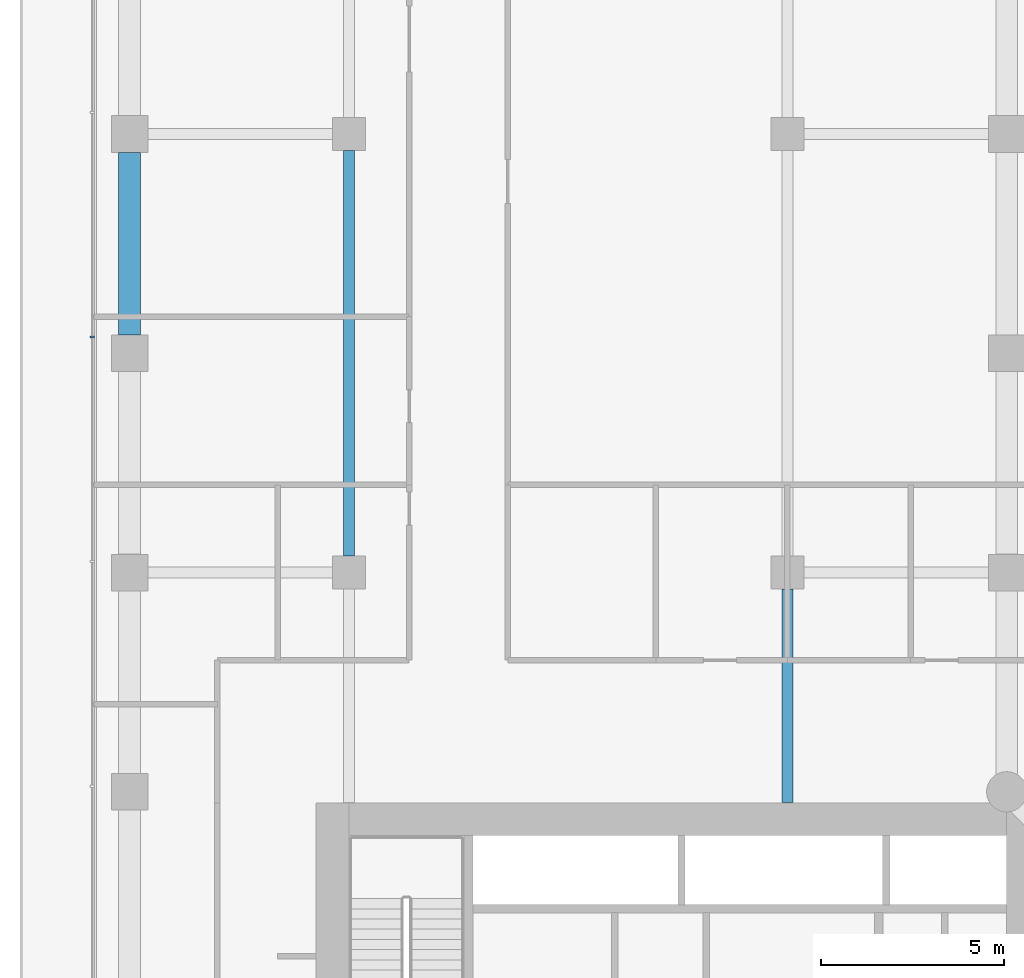
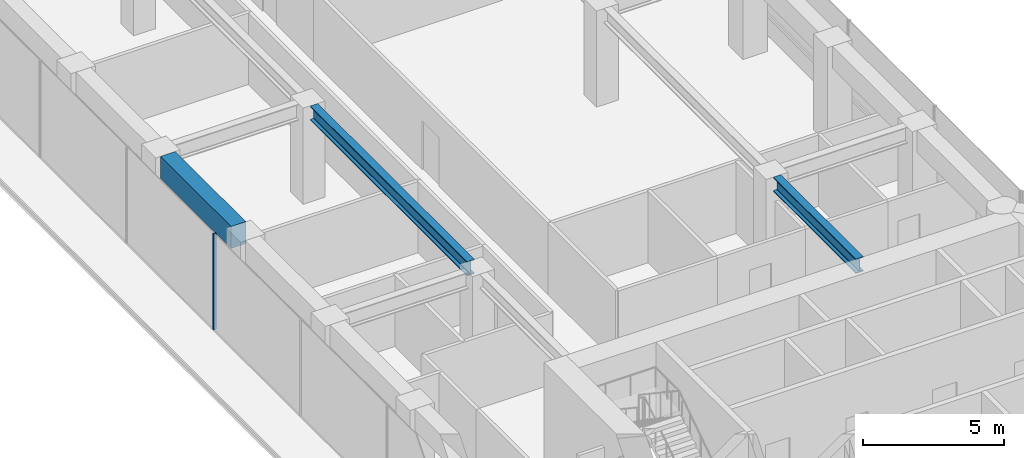
# One storey, part 13 of 24: 3 beams, 1 member, 1 element without a shape of its own.
"""IFC4 building model written with IfcOpenShell, lengths in metres."""

from ifc_helpers import new_model, si_unit, direction, frame, origin, origin_2d, place, context, subcontext, project, spatial, rectangle, i_section, extrude, material, layer, layer_set, material_profile, profile_set, type_object, element, aggregate, save


model = new_model("IFC4")

# Units and contexts
model_context = context("Model", 3, precision=1e-05, world=origin(), true_north=direction((0.0, 1.0)))
body_context = subcontext(model_context, "Body", "Model", "MODEL_VIEW")
ifc_project = project(units=[si_unit("LENGTHUNIT", "METRE"), si_unit("AREAUNIT", "SQUARE_METRE"), si_unit("VOLUMEUNIT", "CUBIC_METRE"), si_unit("PLANEANGLEUNIT", "RADIAN"), si_unit("MASSUNIT", "GRAM", prefix="KILO")], contexts=[model_context])

# Site, building, storey
site_placement = place(None, origin())
site = spatial("IfcSite", under=ifc_project, at=site_placement, CompositionType="ELEMENT")
building_placement = place(site_placement, origin())
building = spatial("IfcBuilding", under=site, at=building_placement, Name="Welwitschia Terrace Campus", CompositionType="ELEMENT")
storey_placement = place(building_placement, frame((0.0, 0.0, 15.5)))
storey = spatial("IfcBuildingStorey", under=building, at=storey_placement, Name="L03", CompositionType="ELEMENT", Elevation=15.5)

# Beams
ifc_material_1 = material(Name="Steel S355", Category="steel")
ifc_material_profile_1 = material_profile(ifc_material_1, i_section(OverallWidth=0.304931640625, OverallDepth=0.6201171875, WebThickness=0.02099609375, FlangeThickness=0.0400390625, FilletRadius=0.027099609375, at=origin_2d()))
ifc_profile_set_1 = profile_set([ifc_material_profile_1], Name="Steel S355")
beam_type_1 = type_object("IfcBeamType", Name="Interior girder HE 600 M", PredefinedType="BEAM", material=ifc_profile_set_1)
beam_1_placement = place(storey_placement, frame((6.0, 32.450439453125, 3.840087890625), z_axis=(0.0, 1.0, 0.0), x_axis=(-1.0, 0.0, 0.0)))
element("IfcBeam", 1, at=beam_1_placement, inside=storey, type_object=beam_type_1, Name="Girder GB1", PredefinedType="BEAM", context=body_context, shape_type="SweptSolid", body=[
    extrude(i_section(OverallWidth=0.304931640625, OverallDepth=0.6201171875, WebThickness=0.02099609375, FlangeThickness=0.0400390625, FilletRadius=0.027099609375, at=origin_2d()), origin(), (0.0, 0.0, 1.0), 11.09912109375),
])
beam_2_placement = place(storey_placement, frame((18.0, 25.700927734375, 3.840087890625), z_axis=(0.0, 1.0, 0.0), x_axis=(-1.0, 0.0, 0.0)))
element("IfcBeam", 2, at=beam_2_placement, inside=storey, type_object=beam_type_1, Name="Girder GB1", PredefinedType="BEAM", context=body_context, shape_type="SweptSolid", body=[
    extrude(i_section(OverallWidth=0.304931640625, OverallDepth=0.6201171875, WebThickness=0.02099609375, FlangeThickness=0.0400390625, FilletRadius=0.027099609375, at=origin_2d()), origin(), (0.0, 0.0, 1.0), 5.8486328125),
])

# Curtain wall, member
ifc_material_2 = material(Name="Bronze anodised aluminium", Category="aluminium")
ifc_layer = layer(ifc_material_2, 0.1201171875)
ifc_layer_set = layer_set([ifc_layer], Name="Bronze anodised aluminium")
curtain_wall_type = type_object("IfcCurtainWallType", Name="Curtain wall CW2 tower 6000", PredefinedType="NOTDEFINED", material=ifc_layer_set)
curtain_wall_placement = place(storey_placement, origin())
curtain_wall = element("IfcCurtainWall", 3, at=curtain_wall_placement, inside=storey, type_object=curtain_wall_type, Name="CW L03.9.0", PredefinedType="NOTDEFINED")
ifc_material_3 = material(Name="Bronze anodised aluminium", Category="aluminium")
ifc_material_profile_2 = material_profile(ifc_material_3, rectangle(XDim=0.1201171875, YDim=0.06005859375, at=origin_2d()))
ifc_profile_set_2 = profile_set([ifc_material_profile_2], Name="Bronze anodised aluminium")
member_type = type_object("IfcMemberType", Name="Mullion 60x120", PredefinedType="MULLION", material=ifc_profile_set_2)
member_placement = place(storey_placement, frame((-1.02001953125, 38.443115234375, 0.0), z_axis=(0.0, 0.0, 1.0), x_axis=(1.0, 0.0, 0.0)))
member = element("IfcMember", 4, at=member_placement, type_object=member_type, Name="Mullion L03.9.0.4", PredefinedType="MULLION", context=body_context, shape_type="SweptSolid", body=[
    extrude(rectangle(XDim=0.1201171875, YDim=0.06005859375, at=origin_2d()), origin(), (0.0, 0.0, 1.0), 4.14990234375),
])
aggregate(curtain_wall, [member])

# Beam
ifc_material_4 = material(Name="Concrete C60/75", Category="concrete")
ifc_material_profile_3 = material_profile(ifc_material_4, rectangle(XDim=0.60009765625, YDim=0.949951171875, at=origin_2d()))
ifc_profile_set_3 = profile_set([ifc_material_profile_3], Name="Concrete C60/75")
beam_type_2 = type_object("IfcBeamType", Name="Ring spandrel 600x950", PredefinedType="SPANDREL", material=ifc_profile_set_3)
beam_3_placement = place(storey_placement, frame((0.0, 43.49951171875, 3.675048828125), z_axis=(0.0, -1.0, 0.0), x_axis=(1.0, 0.0, 0.0)))
element("IfcBeam", 5, at=beam_3_placement, inside=storey, type_object=beam_type_2, Name="Spandrel SP1", PredefinedType="SPANDREL", context=body_context, shape_type="SweptSolid", body=[
    extrude(rectangle(XDim=0.60009765625, YDim=0.949951171875, at=origin_2d()), origin(), (0.0, 0.0, 1.0), 4.9990234375),
])

save(model, "model.ifc")
